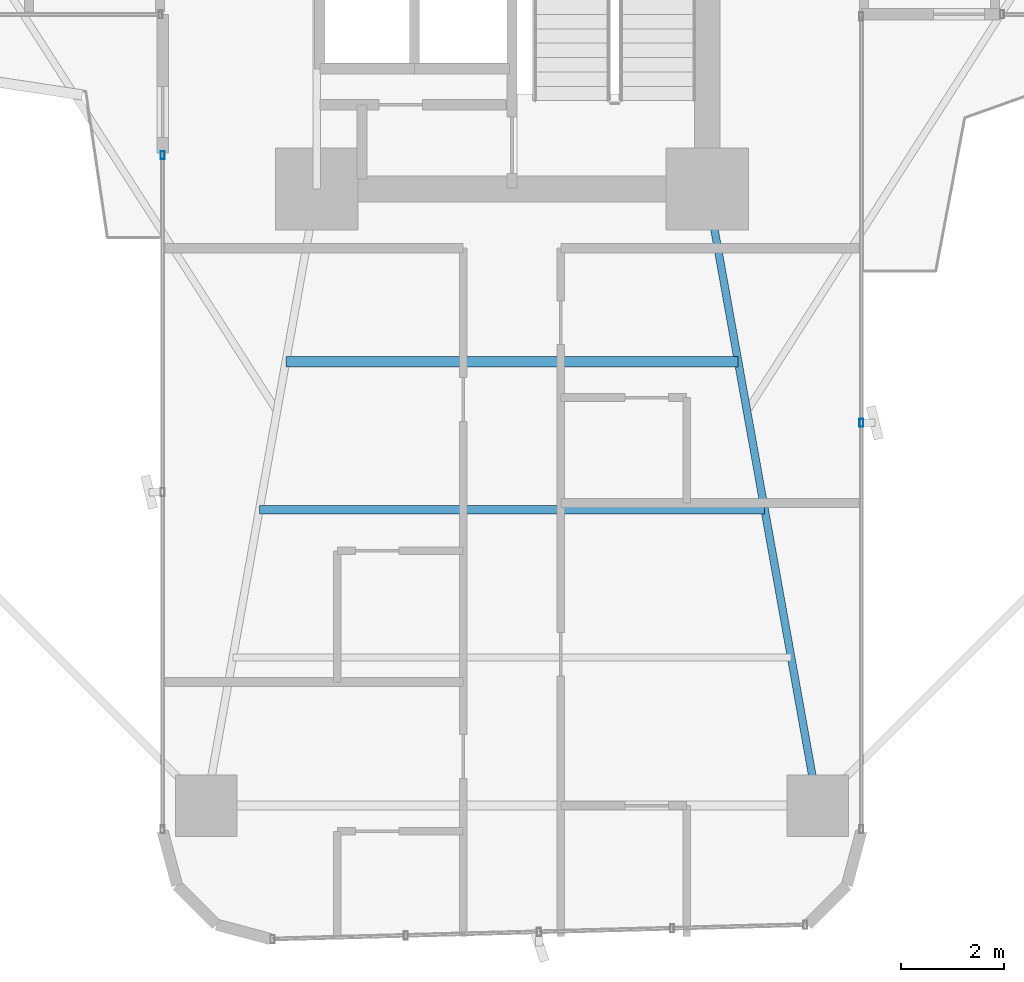
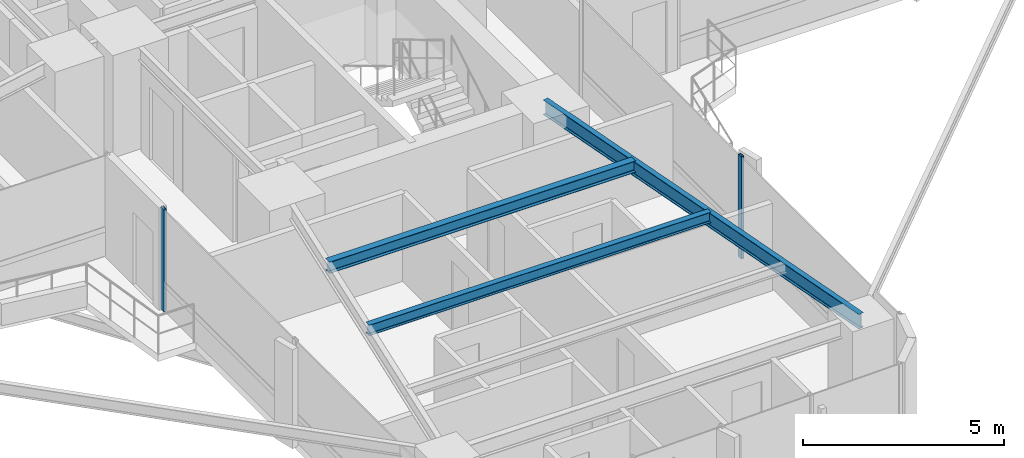
# One storey, part 4 of 25: 3 beams, 2 members, 2 elements without a shape of their own.
"""IFC4 building model written with IfcOpenShell, lengths in metres."""

from ifc_helpers import new_model, si_unit, direction, frame, origin, origin_2d, place, context, subcontext, project, spatial, hollow_rectangle, i_section, extrude, source, transform, mapped, material, material_profile, profile_set, type_object, element, aggregate, save


model = new_model("IFC4")

# Units and contexts
model_context = context("Model", 3, precision=1e-05, world=origin(), true_north=direction((0.0, 1.0)))
body_context = subcontext(model_context, "Body", "Model", "MODEL_VIEW")
ifc_project = project(units=[si_unit("LENGTHUNIT", "METRE"), si_unit("AREAUNIT", "SQUARE_METRE"), si_unit("VOLUMEUNIT", "CUBIC_METRE"), si_unit("PLANEANGLEUNIT", "RADIAN"), si_unit("MASSUNIT", "GRAM", prefix="KILO")], contexts=[model_context])

# Site, building, storey
site_placement = place(None, origin())
site = spatial("IfcSite", under=ifc_project, at=site_placement, CompositionType="ELEMENT")
building_placement = place(site_placement, origin())
building = spatial("IfcBuilding", under=site, at=building_placement, Name="Sahyath Konkavel Grand Hotel", CompositionType="ELEMENT")
storey_placement = place(building_placement, frame((0.0, 0.0, 36.5)))
storey = spatial("IfcBuildingStorey", under=building, at=storey_placement, Name="L09", CompositionType="ELEMENT", Elevation=36.5)

# Beams
ifc_material_1 = material(Name="Steel E350", Category="steel")
ifc_material_profile_1 = material_profile(ifc_material_1, i_section(OverallWidth=0.14990234375, OverallDepth=0.449951171875, WebThickness=0.009521484375, FlangeThickness=0.017333984375, FilletRadius=0.014892578125, at=origin_2d()), Name="ISMB 450")
ifc_profile_set_1 = profile_set([ifc_material_profile_1], Name="Steel E350")
beam_type_1 = type_object("IfcBeamType", Name="BM-ISMB450", PredefinedType="BEAM", material=ifc_profile_set_1)
shared_shape_1 = source(origin(), body_context, "Body", "SweptSolid", [
    extrude(i_section(OverallWidth=0.14990234375, OverallDepth=0.449951171875, WebThickness=0.009521484375, FlangeThickness=0.017333984375, FilletRadius=0.014892578125, at=origin_2d()), origin(), (0.0, 0.0, 1.0), 12.191162109375),
])
beam_1_placement = place(storey_placement, frame((3.800048828125, -10.199951171875, 2.885009765625), z_axis=(0.176350650305, -0.984327409014, 0.0), x_axis=(0.984327409014, 0.176350650305, 0.0)))
element("IfcBeam", 1, at=beam_1_placement, inside=storey, type_object=beam_type_1, Name="L09 Cruciform Radial Girder SB", PredefinedType="BEAM", context=body_context, shape_type="MappedRepresentation", body=[
    mapped(shared_shape_1, transform((0.0, 0.0, 0.0), scale=1.0)),
])
ifc_material_profile_2 = material_profile(ifc_material_1, i_section(OverallWidth=0.199951171875, OverallDepth=0.35009765625, WebThickness=0.008056640625, FlangeThickness=0.011474609375, FilletRadius=0.013916015625, at=origin_2d()), Name="ISWB 350")
ifc_profile_set_2 = profile_set([ifc_material_profile_2], Name="Steel E350")
beam_type_2 = type_object("IfcBeamType", Name="BM-ISWB350", PredefinedType="BEAM", material=ifc_profile_set_2)
shared_shape_2 = source(origin(), body_context, "Body", "SweptSolid", [
    extrude(i_section(OverallWidth=0.199951171875, OverallDepth=0.35009765625, WebThickness=0.008056640625, FlangeThickness=0.011474609375, FilletRadius=0.013916015625, at=origin_2d()), origin(), (0.0, 0.0, 1.0), 8.80419921875),
])
beam_2_placement = place(storey_placement, frame((-4.402099609375, -13.56005859375, 2.93505859375), z_axis=(1.0, 0.0, 0.0), x_axis=(0.0, 1.0, 0.0)))
element("IfcBeam", 2, at=beam_2_placement, inside=storey, type_object=beam_type_2, Name="L09 Secondary Floor Beam S-1", PredefinedType="BEAM", context=body_context, shape_type="MappedRepresentation", body=[
    mapped(shared_shape_2, transform((0.0, 0.0, 0.0), scale=1.0)),
])
ifc_material_profile_3 = material_profile(ifc_material_1, i_section(OverallWidth=0.1650390625, OverallDepth=0.324951171875, WebThickness=0.007080078125, FlangeThickness=0.009765625, FilletRadius=0.014892578125, at=origin_2d()), Name="ISLB 325")
ifc_profile_set_3 = profile_set([ifc_material_profile_3], Name="Steel E350")
beam_type_3 = type_object("IfcBeamType", Name="BM-ISLB325", PredefinedType="BEAM", material=ifc_profile_set_3)
shared_shape_3 = source(origin(), body_context, "Body", "SweptSolid", [
    extrude(i_section(OverallWidth=0.1650390625, OverallDepth=0.324951171875, WebThickness=0.007080078125, FlangeThickness=0.009765625, FilletRadius=0.014892578125, at=origin_2d()), origin(), (0.0, 0.0, 1.0), 9.8359375),
])
beam_3_placement = place(storey_placement, frame((-4.91796875, -16.43994140625, 2.947509765625), z_axis=(1.0, 0.0, 0.0), x_axis=(0.0, 1.0, 0.0)))
element("IfcBeam", 3, at=beam_3_placement, inside=storey, type_object=beam_type_3, Name="L09 Secondary Floor Beam S-2", PredefinedType="BEAM", context=body_context, shape_type="MappedRepresentation", body=[
    mapped(shared_shape_3, transform((0.0, 0.0, 0.0), scale=1.0)),
])

# Curtain wall, member
ifc_material_2 = material(Name="Anodised Bronze Aluminium & Low-E Glazing", Category="aluminium")
curtain_wall_type = type_object("IfcCurtainWallType", Name="CW-ZONE1", PredefinedType="NOTDEFINED", material=ifc_material_2)
curtain_wall_1_placement = place(storey_placement, origin())
curtain_wall_1 = element("IfcCurtainWall", 4, at=curtain_wall_1_placement, inside=storey, type_object=curtain_wall_type, Name="L09 Unitised Curtain Wall F24", PredefinedType="NOTDEFINED")
ifc_material_3 = material(Name="Anodised Bronze Aluminium", Category="aluminium")
ifc_material_profile_4 = material_profile(ifc_material_3, hollow_rectangle(XDim=0.080078125, YDim=0.159912109375, WallThickness=0.006103515625, at=origin_2d()), Name="RHS 160x80x6")
ifc_profile_set_4 = profile_set([ifc_material_profile_4], Name="Anodised Bronze Aluminium")
member_type = type_object("IfcMemberType", Name="CW-MUL-160", PredefinedType="MULLION", material=ifc_profile_set_4)
shared_shape_4 = source(origin(), body_context, "Body", "SweptSolid", [
    extrude(hollow_rectangle(XDim=0.080078125, YDim=0.159912109375, WallThickness=0.006103515625, at=origin_2d()), origin(), (0.0, 0.0, 1.0), 3.110107421875),
])
member_1_placement = place(storey_placement, frame((-6.800048828125, -9.5400390625, 0.0), z_axis=(0.0, 0.0, 1.0), x_axis=(1.0, 0.0, 0.0)))
member_1 = element("IfcMember", 5, at=member_1_placement, type_object=member_type, Name="L09 Curtain Wall Mullion F24-0", PredefinedType="MULLION", context=body_context, shape_type="MappedRepresentation", body=[
    mapped(shared_shape_4, transform((0.0, 0.0, 0.0), scale=1.0)),
])
aggregate(curtain_wall_1, [member_1])

curtain_wall_2_placement = place(storey_placement, origin())
curtain_wall_2 = element("IfcCurtainWall", 6, at=curtain_wall_2_placement, inside=storey, type_object=curtain_wall_type, Name="L09 Unitised Curtain Wall F31", PredefinedType="NOTDEFINED")
member_2_placement = place(storey_placement, frame((6.800048828125, -14.75, 0.0), z_axis=(0.0, 0.0, 1.0), x_axis=(1.0, 0.0, 0.0)))
member_2 = element("IfcMember", 7, at=member_2_placement, type_object=member_type, Name="L09 Curtain Wall Mullion F31-1", PredefinedType="MULLION", context=body_context, shape_type="MappedRepresentation", body=[
    mapped(shared_shape_4, transform((0.0, 0.0, 0.0), scale=1.0)),
])
aggregate(curtain_wall_2, [member_2])

save(model, "model.ifc")
